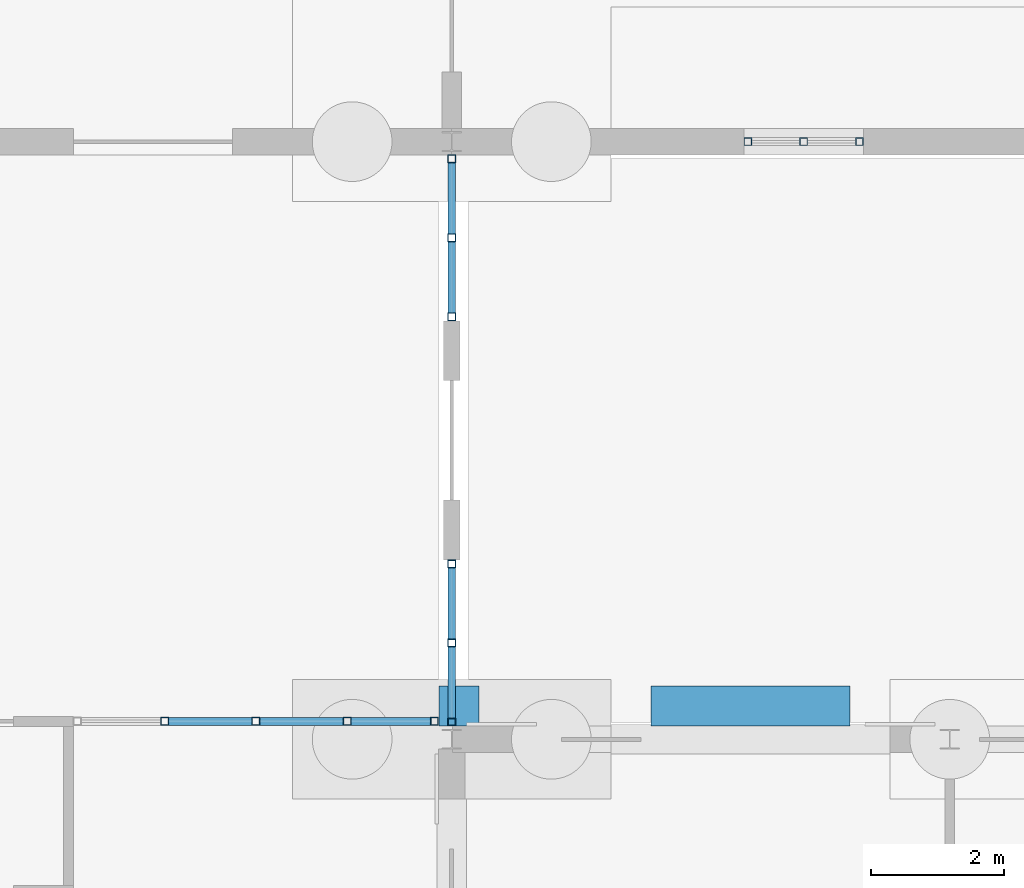
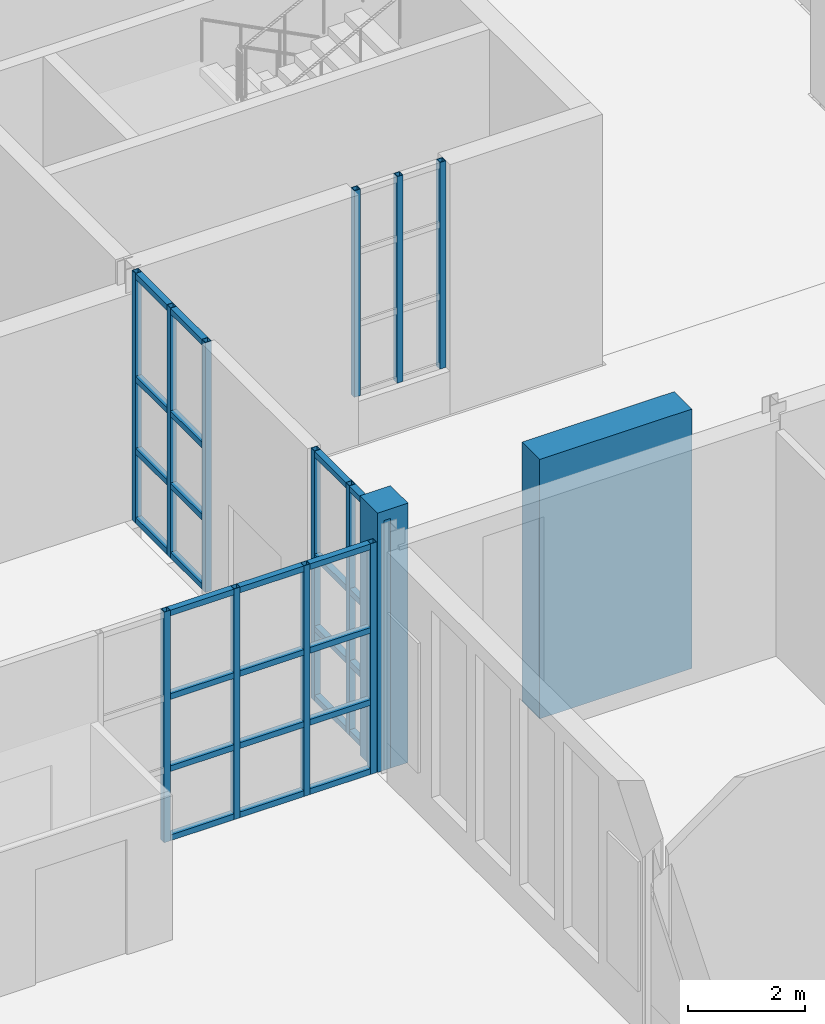
# One storey, part 62 of 168: 43 members, 4 elements without a shape of their own.
"""IFC4 building model written with IfcOpenShell, lengths in metres."""

from ifc_helpers import new_model, si_unit, direction, frame, origin, origin_2d, place, context, subcontext, project, spatial, rectangle, hollow_rectangle, extrude, material, material_profile, profile_set, type_object, element, aggregate, save


model = new_model("IFC4")

# Units and contexts
model_context = context("Model", 3, precision=1e-05, world=origin(), true_north=direction((0.0, 1.0)))
body_context = subcontext(model_context, "Body", "Model", "MODEL_VIEW")
ifc_project = project(units=[si_unit("LENGTHUNIT", "METRE"), si_unit("AREAUNIT", "SQUARE_METRE"), si_unit("VOLUMEUNIT", "CUBIC_METRE"), si_unit("PLANEANGLEUNIT", "RADIAN"), si_unit("MASSUNIT", "GRAM", prefix="KILO")], contexts=[model_context])

# Site, building, storey
site_placement = place(None, origin())
site = spatial("IfcSite", under=ifc_project, at=site_placement, CompositionType="ELEMENT")
building_placement = place(site_placement, origin())
building = spatial("IfcBuilding", under=site, at=building_placement, Name="Golden Quay Civic Hall", CompositionType="ELEMENT")
storey_placement = place(building_placement, origin())
storey = spatial("IfcBuildingStorey", under=building, at=storey_placement, Name="L00", CompositionType="ELEMENT", Elevation=0.0)

# Curtain wall, members
ifc_material_1 = material(Name="Fire-resisting glass and steel", Category="steel")
curtain_wall_type_1 = type_object("IfcCurtainWallType", Name="Fire-resisting glazed curtain wall EI 120", PredefinedType="NOTDEFINED", material=ifc_material_1)
curtain_wall_1_placement = place(storey_placement, origin())
curtain_wall_1 = element("IfcCurtainWall", 1, at=curtain_wall_1_placement, inside=storey, type_object=curtain_wall_type_1, Name="CW3 curtain wall", PredefinedType="NOTDEFINED")
ifc_material_2 = material(Name="Steel S355", Category="steel")
ifc_material_profile_1 = material_profile(ifc_material_2, hollow_rectangle(XDim=0.1201171875, YDim=0.1201171875, WallThickness=0.008056640625, at=origin_2d()), Name="SHS 120x120x8")
ifc_profile_set_1 = profile_set([ifc_material_profile_1], Name="Steel S355")
member_type_1 = type_object("IfcMemberType", Name="Fire-resisting steel mullion SHS 120x120x8", PredefinedType="MULLION", material=ifc_profile_set_1)
member_1_placement = place(storey_placement, frame((94.675048828125, 54.27001953125, 0.0), z_axis=(0.0, 0.0, 1.0), x_axis=(0.0, 1.0, 0.0)))
member_1 = element("IfcMember", 2, at=member_1_placement, type_object=member_type_1, Name="CW3 mullion 2", PredefinedType="MULLION", context=body_context, shape_type="SweptSolid", body=[
    extrude(hollow_rectangle(XDim=0.1201171875, YDim=0.1201171875, WallThickness=0.008056640625, at=origin_2d()), origin(), (0.0, 0.0, 1.0), 4.800048828125),
])
member_2_placement = place(storey_placement, frame((96.050048828125, 54.27001953125, 0.0), z_axis=(0.0, 0.0, 1.0), x_axis=(0.0, 1.0, 0.0)))
member_2 = element("IfcMember", 3, at=member_2_placement, type_object=member_type_1, Name="CW3 mullion 3", PredefinedType="MULLION", context=body_context, shape_type="SweptSolid", body=[
    extrude(hollow_rectangle(XDim=0.1201171875, YDim=0.1201171875, WallThickness=0.008056640625, at=origin_2d()), origin(), (0.0, 0.0, 1.0), 4.800048828125),
])
member_3_placement = place(storey_placement, frame((97.425048828125, 54.27001953125, 0.0), z_axis=(0.0, 0.0, 1.0), x_axis=(0.0, 1.0, 0.0)))
member_3 = element("IfcMember", 4, at=member_3_placement, type_object=member_type_1, Name="CW3 mullion 4", PredefinedType="MULLION", context=body_context, shape_type="SweptSolid", body=[
    extrude(hollow_rectangle(XDim=0.1201171875, YDim=0.1201171875, WallThickness=0.008056640625, at=origin_2d()), origin(), (0.0, 0.0, 1.0), 4.800048828125),
])
member_4_placement = place(storey_placement, frame((98.739990234375, 54.27001953125, 0.0), z_axis=(0.0, 0.0, 1.0), x_axis=(0.0, 1.0, 0.0)))
member_4 = element("IfcMember", 5, at=member_4_placement, type_object=member_type_1, Name="CW3 mullion 5", PredefinedType="MULLION", context=body_context, shape_type="SweptSolid", body=[
    extrude(hollow_rectangle(XDim=0.1201171875, YDim=0.1201171875, WallThickness=0.008056640625, at=origin_2d()), origin(), (0.0, 0.0, 1.0), 4.800048828125),
])

ifc_material_3 = material(Name="Fire-resisting glass and steel", Category="steel")
curtain_wall_type_2 = type_object("IfcCurtainWallType", Name="Fire-resisting glazed stair curtain wall EI 120", PredefinedType="NOTDEFINED", material=ifc_material_3)
curtain_wall_2_placement = place(storey_placement, origin())
curtain_wall_2 = element("IfcCurtainWall", 6, at=curtain_wall_2_placement, inside=storey, type_object=curtain_wall_type_2, Name="CW4 stair curtain wall", PredefinedType="NOTDEFINED")
ifc_material_4 = material(Name="Steel S355", Category="steel")
ifc_material_profile_2 = material_profile(ifc_material_4, hollow_rectangle(XDim=0.1201171875, YDim=0.1201171875, WallThickness=0.012451171875, at=origin_2d()), Name="SHS 120x120x12.5")
ifc_profile_set_2 = profile_set([ifc_material_profile_2], Name="Steel S355")
member_type_2 = type_object("IfcMemberType", Name="Fire-resisting steel stair mullion 120 x 120", PredefinedType="MULLION", material=ifc_profile_set_2)
member_5_placement = place(storey_placement, frame((103.4599609375, 63.0, 0.89990234375), z_axis=(0.0, 0.0, 1.0), x_axis=(0.0, 1.0, 0.0)))
member_5 = element("IfcMember", 7, at=member_5_placement, type_object=member_type_2, Name="CW4 mullion 1", PredefinedType="MULLION", context=body_context, shape_type="SweptSolid", body=[
    extrude(hollow_rectangle(XDim=0.1201171875, YDim=0.1201171875, WallThickness=0.012451171875, at=origin_2d()), origin(), (0.0, 0.0, 1.0), 4.300048828125),
])
member_6_placement = place(storey_placement, frame((104.300048828125, 63.0, 0.89990234375), z_axis=(0.0, 0.0, 1.0), x_axis=(0.0, 1.0, 0.0)))
member_6 = element("IfcMember", 8, at=member_6_placement, type_object=member_type_2, Name="CW4 mullion 2", PredefinedType="MULLION", context=body_context, shape_type="SweptSolid", body=[
    extrude(hollow_rectangle(XDim=0.1201171875, YDim=0.1201171875, WallThickness=0.012451171875, at=origin_2d()), origin(), (0.0, 0.0, 1.0), 4.300048828125),
])
member_7_placement = place(storey_placement, frame((105.139892578125, 63.0, 0.89990234375), z_axis=(0.0, 0.0, 1.0), x_axis=(0.0, 1.0, 0.0)))
member_7 = element("IfcMember", 9, at=member_7_placement, type_object=member_type_2, Name="CW4 mullion 3", PredefinedType="MULLION", context=body_context, shape_type="SweptSolid", body=[
    extrude(hollow_rectangle(XDim=0.1201171875, YDim=0.1201171875, WallThickness=0.012451171875, at=origin_2d()), origin(), (0.0, 0.0, 1.0), 4.300048828125),
])
aggregate(curtain_wall_2, [member_5, member_6, member_7])

# Member
ifc_material_5 = material(Name="Steel S355", Category="steel")
ifc_material_profile_3 = material_profile(ifc_material_5, hollow_rectangle(XDim=0.1201171875, YDim=0.1201171875, WallThickness=0.008056640625, at=origin_2d()), Name="SHS 120x120x8")
ifc_profile_set_3 = profile_set([ifc_material_profile_3], Name="Steel S355")
member_type_3 = type_object("IfcMemberType", Name="Fire-resisting steel transom SHS 120x120x8", PredefinedType="USERDEFINED", material=ifc_profile_set_3)
member_8_placement = place(storey_placement, frame((94.735107421875, 54.27001953125, 0.06005859375), z_axis=(1.0, 0.0, 0.0), x_axis=(0.0, 1.0, 0.0)))
member_8 = element("IfcMember", 10, at=member_8_placement, type_object=member_type_3, Name="CW3 transom 2.1", ObjectType="TRANSOM", PredefinedType="USERDEFINED", context=body_context, shape_type="SweptSolid", body=[
    extrude(hollow_rectangle(XDim=0.1201171875, YDim=0.1201171875, WallThickness=0.008056640625, at=origin_2d()), origin(), (0.0, 0.0, 1.0), 1.2548828125),
])

member_9_placement = place(storey_placement, frame((94.735107421875, 54.27001953125, 1.5), z_axis=(1.0, 0.0, 0.0), x_axis=(0.0, 1.0, 0.0)))
member_9 = element("IfcMember", 11, at=member_9_placement, type_object=member_type_3, Name="CW3 transom 2.2", ObjectType="TRANSOM", PredefinedType="USERDEFINED", context=body_context, shape_type="SweptSolid", body=[
    extrude(hollow_rectangle(XDim=0.1201171875, YDim=0.1201171875, WallThickness=0.008056640625, at=origin_2d()), origin(), (0.0, 0.0, 1.0), 1.2548828125),
])

member_10_placement = place(storey_placement, frame((94.735107421875, 54.27001953125, 3.0), z_axis=(1.0, 0.0, 0.0), x_axis=(0.0, 1.0, 0.0)))
member_10 = element("IfcMember", 12, at=member_10_placement, type_object=member_type_3, Name="CW3 transom 2.3", ObjectType="TRANSOM", PredefinedType="USERDEFINED", context=body_context, shape_type="SweptSolid", body=[
    extrude(hollow_rectangle(XDim=0.1201171875, YDim=0.1201171875, WallThickness=0.008056640625, at=origin_2d()), origin(), (0.0, 0.0, 1.0), 1.2548828125),
])

member_11_placement = place(storey_placement, frame((94.735107421875, 54.27001953125, 4.739990234375), z_axis=(1.0, 0.0, 0.0), x_axis=(0.0, 1.0, 0.0)))
member_11 = element("IfcMember", 13, at=member_11_placement, type_object=member_type_3, Name="CW3 transom 2.4", ObjectType="TRANSOM", PredefinedType="USERDEFINED", context=body_context, shape_type="SweptSolid", body=[
    extrude(hollow_rectangle(XDim=0.1201171875, YDim=0.1201171875, WallThickness=0.008056640625, at=origin_2d()), origin(), (0.0, 0.0, 1.0), 1.2548828125),
])

member_12_placement = place(storey_placement, frame((96.110107421875, 54.27001953125, 0.06005859375), z_axis=(1.0, 0.0, 0.0), x_axis=(0.0, 1.0, 0.0)))
member_12 = element("IfcMember", 14, at=member_12_placement, type_object=member_type_3, Name="CW3 transom 3.1", ObjectType="TRANSOM", PredefinedType="USERDEFINED", context=body_context, shape_type="SweptSolid", body=[
    extrude(hollow_rectangle(XDim=0.1201171875, YDim=0.1201171875, WallThickness=0.008056640625, at=origin_2d()), origin(), (0.0, 0.0, 1.0), 1.2548828125),
])

member_13_placement = place(storey_placement, frame((96.110107421875, 54.27001953125, 1.5), z_axis=(1.0, 0.0, 0.0), x_axis=(0.0, 1.0, 0.0)))
member_13 = element("IfcMember", 15, at=member_13_placement, type_object=member_type_3, Name="CW3 transom 3.2", ObjectType="TRANSOM", PredefinedType="USERDEFINED", context=body_context, shape_type="SweptSolid", body=[
    extrude(hollow_rectangle(XDim=0.1201171875, YDim=0.1201171875, WallThickness=0.008056640625, at=origin_2d()), origin(), (0.0, 0.0, 1.0), 1.2548828125),
])

member_14_placement = place(storey_placement, frame((96.110107421875, 54.27001953125, 3.0), z_axis=(1.0, 0.0, 0.0), x_axis=(0.0, 1.0, 0.0)))
member_14 = element("IfcMember", 16, at=member_14_placement, type_object=member_type_3, Name="CW3 transom 3.3", ObjectType="TRANSOM", PredefinedType="USERDEFINED", context=body_context, shape_type="SweptSolid", body=[
    extrude(hollow_rectangle(XDim=0.1201171875, YDim=0.1201171875, WallThickness=0.008056640625, at=origin_2d()), origin(), (0.0, 0.0, 1.0), 1.2548828125),
])

member_15_placement = place(storey_placement, frame((96.110107421875, 54.27001953125, 4.739990234375), z_axis=(1.0, 0.0, 0.0), x_axis=(0.0, 1.0, 0.0)))
member_15 = element("IfcMember", 17, at=member_15_placement, type_object=member_type_3, Name="CW3 transom 3.4", ObjectType="TRANSOM", PredefinedType="USERDEFINED", context=body_context, shape_type="SweptSolid", body=[
    extrude(hollow_rectangle(XDim=0.1201171875, YDim=0.1201171875, WallThickness=0.008056640625, at=origin_2d()), origin(), (0.0, 0.0, 1.0), 1.2548828125),
])

member_16_placement = place(storey_placement, frame((97.485107421875, 54.27001953125, 0.06005859375), z_axis=(1.0, 0.0, 0.0), x_axis=(0.0, 1.0, 0.0)))
member_16 = element("IfcMember", 18, at=member_16_placement, type_object=member_type_3, Name="CW3 transom 4.1", ObjectType="TRANSOM", PredefinedType="USERDEFINED", context=body_context, shape_type="SweptSolid", body=[
    extrude(hollow_rectangle(XDim=0.1201171875, YDim=0.1201171875, WallThickness=0.008056640625, at=origin_2d()), origin(), (0.0, 0.0, 1.0), 1.19482421875),
])

member_17_placement = place(storey_placement, frame((97.485107421875, 54.27001953125, 1.5), z_axis=(1.0, 0.0, 0.0), x_axis=(0.0, 1.0, 0.0)))
member_17 = element("IfcMember", 19, at=member_17_placement, type_object=member_type_3, Name="CW3 transom 4.2", ObjectType="TRANSOM", PredefinedType="USERDEFINED", context=body_context, shape_type="SweptSolid", body=[
    extrude(hollow_rectangle(XDim=0.1201171875, YDim=0.1201171875, WallThickness=0.008056640625, at=origin_2d()), origin(), (0.0, 0.0, 1.0), 1.19482421875),
])

member_18_placement = place(storey_placement, frame((97.485107421875, 54.27001953125, 3.0), z_axis=(1.0, 0.0, 0.0), x_axis=(0.0, 1.0, 0.0)))
member_18 = element("IfcMember", 20, at=member_18_placement, type_object=member_type_3, Name="CW3 transom 4.3", ObjectType="TRANSOM", PredefinedType="USERDEFINED", context=body_context, shape_type="SweptSolid", body=[
    extrude(hollow_rectangle(XDim=0.1201171875, YDim=0.1201171875, WallThickness=0.008056640625, at=origin_2d()), origin(), (0.0, 0.0, 1.0), 1.19482421875),
])

member_19_placement = place(storey_placement, frame((97.485107421875, 54.27001953125, 4.739990234375), z_axis=(1.0, 0.0, 0.0), x_axis=(0.0, 1.0, 0.0)))
member_19 = element("IfcMember", 21, at=member_19_placement, type_object=member_type_3, Name="CW3 transom 4.4", ObjectType="TRANSOM", PredefinedType="USERDEFINED", context=body_context, shape_type="SweptSolid", body=[
    extrude(hollow_rectangle(XDim=0.1201171875, YDim=0.1201171875, WallThickness=0.008056640625, at=origin_2d()), origin(), (0.0, 0.0, 1.0), 1.19482421875),
])

aggregate(curtain_wall_1, [member_1, member_2, member_3, member_4, member_8, member_9, member_10, member_11, member_12, member_13, member_14, member_15, member_16, member_17, member_18, member_19])

# Members
ifc_material_6 = material(Name="Concrete C40/50", Category="concrete")
ifc_material_profile_4 = material_profile(ifc_material_6, rectangle(XDim=3.0, YDim=0.60009765625, at=origin_2d()), Name="RC 3000x600")
ifc_profile_set_4 = profile_set([ifc_material_profile_4], Name="Concrete C40/50")
member_type_4 = type_object("IfcMemberType", Name="Precast concrete facade pier 3000 x 600", PredefinedType="POST", material=ifc_profile_set_4)
member_20_placement = place(storey_placement, frame((103.5, 54.5, 0.0), z_axis=(0.0, 0.0, 1.0), x_axis=(1.0, 0.0, 0.0)))
element("IfcMember", 22, at=member_20_placement, inside=storey, type_object=member_type_4, Name="Precast concrete facade pier 3000 x 600 L00 22", PredefinedType="POST", context=body_context, shape_type="SweptSolid", body=[
    extrude(rectangle(XDim=3.0, YDim=0.60009765625, at=origin_2d()), origin(), (0.0, 0.0, 1.0), 5.39990234375),
])
ifc_material_7 = material(Name="Concrete C40/50", Category="concrete")
ifc_material_profile_5 = material_profile(ifc_material_7, rectangle(XDim=0.60009765625, YDim=0.60009765625, at=origin_2d()), Name="RC 600x600")
ifc_profile_set_5 = profile_set([ifc_material_profile_5], Name="Concrete C40/50")
member_type_5 = type_object("IfcMemberType", Name="Precast concrete facade post 600 x 600", PredefinedType="POST", material=ifc_profile_set_5)
member_21_placement = place(storey_placement, frame((99.110107421875, 54.5, 0.0), z_axis=(0.0, 0.0, 1.0), x_axis=(1.0, 0.0, 0.0)))
element("IfcMember", 23, at=member_21_placement, inside=storey, type_object=member_type_5, Name="Precast concrete facade post 600 x 600 L00 9", PredefinedType="POST", context=body_context, shape_type="SweptSolid", body=[
    extrude(rectangle(XDim=0.60009765625, YDim=0.60009765625, at=origin_2d()), origin(), (0.0, 0.0, 1.0), 5.39990234375),
])

# Curtain wall, members
ifc_material_8 = material(Name="Glass and aluminium", Category="aluminium")
curtain_wall_type_3 = type_object("IfcCurtainWallType", Name="Glazed curtain wall 1500 module", PredefinedType="NOTDEFINED", material=ifc_material_8)
curtain_wall_3_placement = place(storey_placement, origin())
curtain_wall_3 = element("IfcCurtainWall", 24, at=curtain_wall_3_placement, inside=storey, type_object=curtain_wall_type_3, Name="CW1 curtain wall", PredefinedType="NOTDEFINED")
ifc_material_9 = material(Name="Steel S355", Category="steel")
ifc_material_profile_6 = material_profile(ifc_material_9, hollow_rectangle(XDim=0.1201171875, YDim=0.1201171875, WallThickness=0.008056640625, at=origin_2d()), Name="SHS 120x120x8")
ifc_profile_set_6 = profile_set([ifc_material_profile_6], Name="Steel S355")
member_type_6 = type_object("IfcMemberType", Name="Steel mullion SHS 120x120x8", PredefinedType="MULLION", material=ifc_profile_set_6)
member_22_placement = place(storey_placement, frame((99.0, 54.260009765625, 0.0), z_axis=(0.0, 0.0, 1.0), x_axis=(-1.0, 0.0, 0.0)))
member_22 = element("IfcMember", 25, at=member_22_placement, type_object=member_type_6, Name="CW1 mullion 1", PredefinedType="MULLION", context=body_context, shape_type="SweptSolid", body=[
    extrude(hollow_rectangle(XDim=0.1201171875, YDim=0.1201171875, WallThickness=0.008056640625, at=origin_2d()), origin(), (0.0, 0.0, 1.0), 5.199951171875),
])
member_23_placement = place(storey_placement, frame((99.0, 55.449951171875, 0.0), z_axis=(0.0, 0.0, 1.0), x_axis=(-1.0, 0.0, 0.0)))
member_23 = element("IfcMember", 26, at=member_23_placement, type_object=member_type_6, Name="CW1 mullion 2", PredefinedType="MULLION", context=body_context, shape_type="SweptSolid", body=[
    extrude(hollow_rectangle(XDim=0.1201171875, YDim=0.1201171875, WallThickness=0.008056640625, at=origin_2d()), origin(), (0.0, 0.0, 1.0), 5.199951171875),
])
member_24_placement = place(storey_placement, frame((99.0, 56.639892578125, 0.0), z_axis=(0.0, 0.0, 1.0), x_axis=(-1.0, 0.0, 0.0)))
member_24 = element("IfcMember", 27, at=member_24_placement, type_object=member_type_6, Name="CW1 mullion 3", PredefinedType="MULLION", context=body_context, shape_type="SweptSolid", body=[
    extrude(hollow_rectangle(XDim=0.1201171875, YDim=0.1201171875, WallThickness=0.008056640625, at=origin_2d()), origin(), (0.0, 0.0, 1.0), 5.199951171875),
])

curtain_wall_4_placement = place(storey_placement, origin())
curtain_wall_4 = element("IfcCurtainWall", 28, at=curtain_wall_4_placement, inside=storey, type_object=curtain_wall_type_3, Name="CW1 curtain wall", PredefinedType="NOTDEFINED")
member_25_placement = place(storey_placement, frame((99.0, 60.360107421875, 0.0), z_axis=(0.0, 0.0, 1.0), x_axis=(-1.0, 0.0, 0.0)))
member_25 = element("IfcMember", 29, at=member_25_placement, type_object=member_type_6, Name="CW1 mullion 1", PredefinedType="MULLION", context=body_context, shape_type="SweptSolid", body=[
    extrude(hollow_rectangle(XDim=0.1201171875, YDim=0.1201171875, WallThickness=0.008056640625, at=origin_2d()), origin(), (0.0, 0.0, 1.0), 5.199951171875),
])
member_26_placement = place(storey_placement, frame((99.0, 61.550048828125, 0.0), z_axis=(0.0, 0.0, 1.0), x_axis=(-1.0, 0.0, 0.0)))
member_26 = element("IfcMember", 30, at=member_26_placement, type_object=member_type_6, Name="CW1 mullion 2", PredefinedType="MULLION", context=body_context, shape_type="SweptSolid", body=[
    extrude(hollow_rectangle(XDim=0.1201171875, YDim=0.1201171875, WallThickness=0.008056640625, at=origin_2d()), origin(), (0.0, 0.0, 1.0), 5.199951171875),
])
member_27_placement = place(storey_placement, frame((99.0, 62.739990234375, 0.0), z_axis=(0.0, 0.0, 1.0), x_axis=(-1.0, 0.0, 0.0)))
member_27 = element("IfcMember", 31, at=member_27_placement, type_object=member_type_6, Name="CW1 mullion 3", PredefinedType="MULLION", context=body_context, shape_type="SweptSolid", body=[
    extrude(hollow_rectangle(XDim=0.1201171875, YDim=0.1201171875, WallThickness=0.008056640625, at=origin_2d()), origin(), (0.0, 0.0, 1.0), 5.199951171875),
])

# Member
ifc_material_10 = material(Name="Steel S355", Category="steel")
ifc_material_profile_7 = material_profile(ifc_material_10, hollow_rectangle(XDim=0.1201171875, YDim=0.1201171875, WallThickness=0.008056640625, at=origin_2d()), Name="SHS 120x120x8")
ifc_profile_set_7 = profile_set([ifc_material_profile_7], Name="Steel S355")
member_type_7 = type_object("IfcMemberType", Name="Steel transom SHS 120x120x8", PredefinedType="USERDEFINED", material=ifc_profile_set_7)
member_28_placement = place(storey_placement, frame((99.0, 54.320068359375, 0.06005859375), z_axis=(0.0, 1.0, 0.0), x_axis=(-1.0, 0.0, 0.0)))
member_28 = element("IfcMember", 32, at=member_28_placement, type_object=member_type_7, Name="CW1 transom 1.1", ObjectType="TRANSOM", PredefinedType="USERDEFINED", context=body_context, shape_type="SweptSolid", body=[
    extrude(hollow_rectangle(XDim=0.1201171875, YDim=0.1201171875, WallThickness=0.008056640625, at=origin_2d()), origin(), (0.0, 0.0, 1.0), 1.06982421875),
])

member_29_placement = place(storey_placement, frame((99.0, 54.320068359375, 1.5), z_axis=(0.0, 1.0, 0.0), x_axis=(-1.0, 0.0, 0.0)))
member_29 = element("IfcMember", 33, at=member_29_placement, type_object=member_type_7, Name="CW1 transom 1.2", ObjectType="TRANSOM", PredefinedType="USERDEFINED", context=body_context, shape_type="SweptSolid", body=[
    extrude(hollow_rectangle(XDim=0.1201171875, YDim=0.1201171875, WallThickness=0.008056640625, at=origin_2d()), origin(), (0.0, 0.0, 1.0), 1.06982421875),
])

member_30_placement = place(storey_placement, frame((99.0, 54.320068359375, 3.0), z_axis=(0.0, 1.0, 0.0), x_axis=(-1.0, 0.0, 0.0)))
member_30 = element("IfcMember", 34, at=member_30_placement, type_object=member_type_7, Name="CW1 transom 1.3", ObjectType="TRANSOM", PredefinedType="USERDEFINED", context=body_context, shape_type="SweptSolid", body=[
    extrude(hollow_rectangle(XDim=0.1201171875, YDim=0.1201171875, WallThickness=0.008056640625, at=origin_2d()), origin(), (0.0, 0.0, 1.0), 1.06982421875),
])

member_31_placement = place(storey_placement, frame((99.0, 54.320068359375, 5.139892578125), z_axis=(0.0, 1.0, 0.0), x_axis=(-1.0, 0.0, 0.0)))
member_31 = element("IfcMember", 35, at=member_31_placement, type_object=member_type_7, Name="CW1 transom 1.4", ObjectType="TRANSOM", PredefinedType="USERDEFINED", context=body_context, shape_type="SweptSolid", body=[
    extrude(hollow_rectangle(XDim=0.1201171875, YDim=0.1201171875, WallThickness=0.008056640625, at=origin_2d()), origin(), (0.0, 0.0, 1.0), 1.06982421875),
])

member_32_placement = place(storey_placement, frame((99.0, 55.510009765625, 0.06005859375), z_axis=(0.0, 1.0, 0.0), x_axis=(-1.0, 0.0, 0.0)))
member_32 = element("IfcMember", 36, at=member_32_placement, type_object=member_type_7, Name="CW1 transom 2.1", ObjectType="TRANSOM", PredefinedType="USERDEFINED", context=body_context, shape_type="SweptSolid", body=[
    extrude(hollow_rectangle(XDim=0.1201171875, YDim=0.1201171875, WallThickness=0.008056640625, at=origin_2d()), origin(), (0.0, 0.0, 1.0), 1.070068359375),
])

member_33_placement = place(storey_placement, frame((99.0, 55.510009765625, 1.5), z_axis=(0.0, 1.0, 0.0), x_axis=(-1.0, 0.0, 0.0)))
member_33 = element("IfcMember", 37, at=member_33_placement, type_object=member_type_7, Name="CW1 transom 2.2", ObjectType="TRANSOM", PredefinedType="USERDEFINED", context=body_context, shape_type="SweptSolid", body=[
    extrude(hollow_rectangle(XDim=0.1201171875, YDim=0.1201171875, WallThickness=0.008056640625, at=origin_2d()), origin(), (0.0, 0.0, 1.0), 1.070068359375),
])

member_34_placement = place(storey_placement, frame((99.0, 55.510009765625, 3.0), z_axis=(0.0, 1.0, 0.0), x_axis=(-1.0, 0.0, 0.0)))
member_34 = element("IfcMember", 38, at=member_34_placement, type_object=member_type_7, Name="CW1 transom 2.3", ObjectType="TRANSOM", PredefinedType="USERDEFINED", context=body_context, shape_type="SweptSolid", body=[
    extrude(hollow_rectangle(XDim=0.1201171875, YDim=0.1201171875, WallThickness=0.008056640625, at=origin_2d()), origin(), (0.0, 0.0, 1.0), 1.070068359375),
])

member_35_placement = place(storey_placement, frame((99.0, 55.510009765625, 5.139892578125), z_axis=(0.0, 1.0, 0.0), x_axis=(-1.0, 0.0, 0.0)))
member_35 = element("IfcMember", 39, at=member_35_placement, type_object=member_type_7, Name="CW1 transom 2.4", ObjectType="TRANSOM", PredefinedType="USERDEFINED", context=body_context, shape_type="SweptSolid", body=[
    extrude(hollow_rectangle(XDim=0.1201171875, YDim=0.1201171875, WallThickness=0.008056640625, at=origin_2d()), origin(), (0.0, 0.0, 1.0), 1.070068359375),
])

aggregate(curtain_wall_3, [member_22, member_23, member_24, member_28, member_29, member_30, member_31, member_32, member_33, member_34, member_35])

member_36_placement = place(storey_placement, frame((99.0, 60.419921875, 0.06005859375), z_axis=(0.0, 1.0, 0.0), x_axis=(-1.0, 0.0, 0.0)))
member_36 = element("IfcMember", 40, at=member_36_placement, type_object=member_type_7, Name="CW1 transom 1.1", ObjectType="TRANSOM", PredefinedType="USERDEFINED", context=body_context, shape_type="SweptSolid", body=[
    extrude(hollow_rectangle(XDim=0.1201171875, YDim=0.1201171875, WallThickness=0.008056640625, at=origin_2d()), origin(), (0.0, 0.0, 1.0), 1.070068359375),
])

member_37_placement = place(storey_placement, frame((99.0, 60.419921875, 1.5), z_axis=(0.0, 1.0, 0.0), x_axis=(-1.0, 0.0, 0.0)))
member_37 = element("IfcMember", 41, at=member_37_placement, type_object=member_type_7, Name="CW1 transom 1.2", ObjectType="TRANSOM", PredefinedType="USERDEFINED", context=body_context, shape_type="SweptSolid", body=[
    extrude(hollow_rectangle(XDim=0.1201171875, YDim=0.1201171875, WallThickness=0.008056640625, at=origin_2d()), origin(), (0.0, 0.0, 1.0), 1.070068359375),
])

member_38_placement = place(storey_placement, frame((99.0, 60.419921875, 3.0), z_axis=(0.0, 1.0, 0.0), x_axis=(-1.0, 0.0, 0.0)))
member_38 = element("IfcMember", 42, at=member_38_placement, type_object=member_type_7, Name="CW1 transom 1.3", ObjectType="TRANSOM", PredefinedType="USERDEFINED", context=body_context, shape_type="SweptSolid", body=[
    extrude(hollow_rectangle(XDim=0.1201171875, YDim=0.1201171875, WallThickness=0.008056640625, at=origin_2d()), origin(), (0.0, 0.0, 1.0), 1.070068359375),
])

member_39_placement = place(storey_placement, frame((99.0, 60.419921875, 5.139892578125), z_axis=(0.0, 1.0, 0.0), x_axis=(-1.0, 0.0, 0.0)))
member_39 = element("IfcMember", 43, at=member_39_placement, type_object=member_type_7, Name="CW1 transom 1.4", ObjectType="TRANSOM", PredefinedType="USERDEFINED", context=body_context, shape_type="SweptSolid", body=[
    extrude(hollow_rectangle(XDim=0.1201171875, YDim=0.1201171875, WallThickness=0.008056640625, at=origin_2d()), origin(), (0.0, 0.0, 1.0), 1.070068359375),
])

member_40_placement = place(storey_placement, frame((99.0, 61.610107421875, 0.06005859375), z_axis=(0.0, 1.0, 0.0), x_axis=(-1.0, 0.0, 0.0)))
member_40 = element("IfcMember", 44, at=member_40_placement, type_object=member_type_7, Name="CW1 transom 2.1", ObjectType="TRANSOM", PredefinedType="USERDEFINED", context=body_context, shape_type="SweptSolid", body=[
    extrude(hollow_rectangle(XDim=0.1201171875, YDim=0.1201171875, WallThickness=0.008056640625, at=origin_2d()), origin(), (0.0, 0.0, 1.0), 1.06982421875),
])

member_41_placement = place(storey_placement, frame((99.0, 61.610107421875, 1.5), z_axis=(0.0, 1.0, 0.0), x_axis=(-1.0, 0.0, 0.0)))
member_41 = element("IfcMember", 45, at=member_41_placement, type_object=member_type_7, Name="CW1 transom 2.2", ObjectType="TRANSOM", PredefinedType="USERDEFINED", context=body_context, shape_type="SweptSolid", body=[
    extrude(hollow_rectangle(XDim=0.1201171875, YDim=0.1201171875, WallThickness=0.008056640625, at=origin_2d()), origin(), (0.0, 0.0, 1.0), 1.06982421875),
])

member_42_placement = place(storey_placement, frame((99.0, 61.610107421875, 3.0), z_axis=(0.0, 1.0, 0.0), x_axis=(-1.0, 0.0, 0.0)))
member_42 = element("IfcMember", 46, at=member_42_placement, type_object=member_type_7, Name="CW1 transom 2.3", ObjectType="TRANSOM", PredefinedType="USERDEFINED", context=body_context, shape_type="SweptSolid", body=[
    extrude(hollow_rectangle(XDim=0.1201171875, YDim=0.1201171875, WallThickness=0.008056640625, at=origin_2d()), origin(), (0.0, 0.0, 1.0), 1.06982421875),
])

member_43_placement = place(storey_placement, frame((99.0, 61.610107421875, 5.139892578125), z_axis=(0.0, 1.0, 0.0), x_axis=(-1.0, 0.0, 0.0)))
member_43 = element("IfcMember", 47, at=member_43_placement, type_object=member_type_7, Name="CW1 transom 2.4", ObjectType="TRANSOM", PredefinedType="USERDEFINED", context=body_context, shape_type="SweptSolid", body=[
    extrude(hollow_rectangle(XDim=0.1201171875, YDim=0.1201171875, WallThickness=0.008056640625, at=origin_2d()), origin(), (0.0, 0.0, 1.0), 1.06982421875),
])

aggregate(curtain_wall_4, [member_25, member_26, member_27, member_36, member_37, member_38, member_39, member_40, member_41, member_42, member_43])

save(model, "model.ifc")
